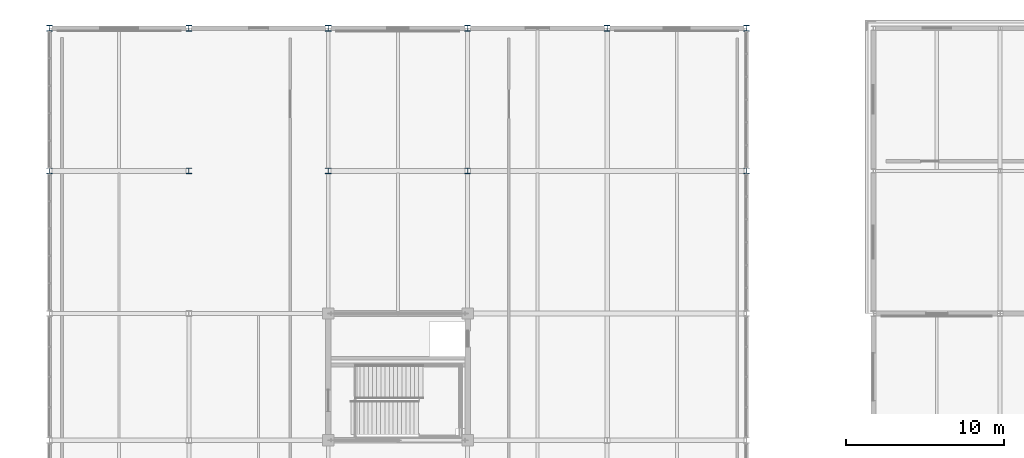
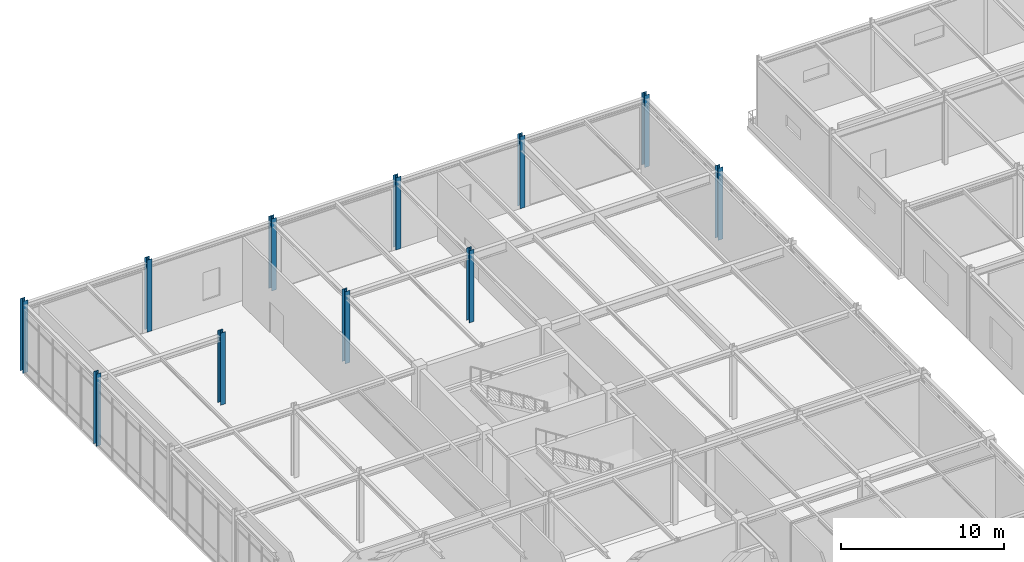
# One storey, part 11 of 108: 11 columns.
"""IFC4 building model written with IfcOpenShell, lengths in metres."""

from ifc_helpers import new_model, si_unit, direction, frame, origin, origin_2d, place, context, subcontext, project, spatial, i_section, extrude, material, material_profile, profile_set, type_object, element, save


model = new_model("IFC4")

# Units and contexts
model_context = context("Model", 3, precision=1e-05, world=origin(), true_north=direction((0.0, 1.0)))
body_context = subcontext(model_context, "Body", "Model", "MODEL_VIEW")
ifc_project = project(units=[si_unit("LENGTHUNIT", "METRE"), si_unit("AREAUNIT", "SQUARE_METRE"), si_unit("VOLUMEUNIT", "CUBIC_METRE"), si_unit("PLANEANGLEUNIT", "RADIAN"), si_unit("MASSUNIT", "GRAM", prefix="KILO")], contexts=[model_context])

# Site, building, storey
site_placement = place(None, origin())
site = spatial("IfcSite", under=ifc_project, at=site_placement, CompositionType="ELEMENT")
building_placement = place(site_placement, origin())
building = spatial("IfcBuilding", under=site, at=building_placement, Name="Zhaolan Boulevard Law Courts", CompositionType="ELEMENT")
storey_placement = place(building_placement, frame((0.0, 0.0, 10.800048828125)))
storey = spatial("IfcBuildingStorey", under=building, at=storey_placement, Name="L02", CompositionType="ELEMENT", Elevation=10.800048828125)

# Columns
ifc_material = material(Name="Structural steel Q355B", Category="steel")
ifc_material_profile = material_profile(ifc_material, i_section(OverallWidth=0.35009765625, OverallDepth=0.35009765625, WebThickness=0.011962890625, FlangeThickness=0.01904296875, FilletRadius=0.02001953125, at=origin_2d()), Name="HW350x350")
ifc_profile_set = profile_set([ifc_material_profile], Name="Structural steel Q355B")
column_type = type_object("IfcColumnType", Name="COL HW350", PredefinedType="COLUMN", material=ifc_profile_set)
for number, where, z_axis, x_axis, name in (
    (1, (0.0, 103.0, 0.0), (0.0, 0.0, 1.0), (1.0, 0.0, 0.0), "Column C-1P (L02)"),
    (2, (0.0, 112.0, 0.0), (0.0, 0.0, 1.0), (1.0, 0.0, 0.0), "Column C-1Q (L02)"),
    (3, (8.800048828125, 103.0, 0.0), (0.0, 0.0, 1.0), (1.0, 0.0, 0.0), "Column C-2P (L02)"),
    (4, (8.800048828125, 112.0, 0.0), (0.0, 0.0, 1.0), (1.0, 0.0, 0.0), "Column C-2Q (L02)"),
    (5, (17.60009765625, 103.0, 0.0), (0.0, 0.0, 1.0), (1.0, 0.0, 0.0), "Column C-3P (L02)"),
    (6, (17.60009765625, 112.0, 0.0), (0.0, 0.0, 1.0), (1.0, 0.0, 0.0), "Column C-3Q (L02)"),
    (7, (26.39990234375, 103.0, 0.0), (0.0, 0.0, 1.0), (1.0, 0.0, 0.0), "Column C-4P (L02)"),
    (8, (26.39990234375, 112.0, 0.0), (0.0, 0.0, 1.0), (1.0, 0.0, 0.0), "Column C-4Q (L02)"),
    (9, (35.199951171875, 112.0, 0.0), (0.0, 0.0, 1.0), (1.0, 0.0, 0.0), "Column C-5Q (L02)"),
    (10, (44.0, 103.0, 0.0), (0.0, 0.0, 1.0), (1.0, 0.0, 0.0), "Column C-6P (L02)"),
    (11, (44.0, 112.0, 0.0), (0.0, 0.0, 1.0), (1.0, 0.0, 0.0), "Column C-6Q (L02)"),
):
    element("IfcColumn", number, at=place(storey_placement, frame(where, z_axis=z_axis, x_axis=x_axis)), inside=storey, type_object=column_type, Name=name, PredefinedType="COLUMN", context=body_context, shape_type="SweptSolid", body=[
        extrude(i_section(OverallWidth=0.35009765625, OverallDepth=0.35009765625, WebThickness=0.011962890625, FlangeThickness=0.01904296875, FilletRadius=0.02001953125, at=origin_2d()), origin(), (0.0, 0.0, 1.0), 5.39990234375),
    ])

save(model, "model.ifc")
